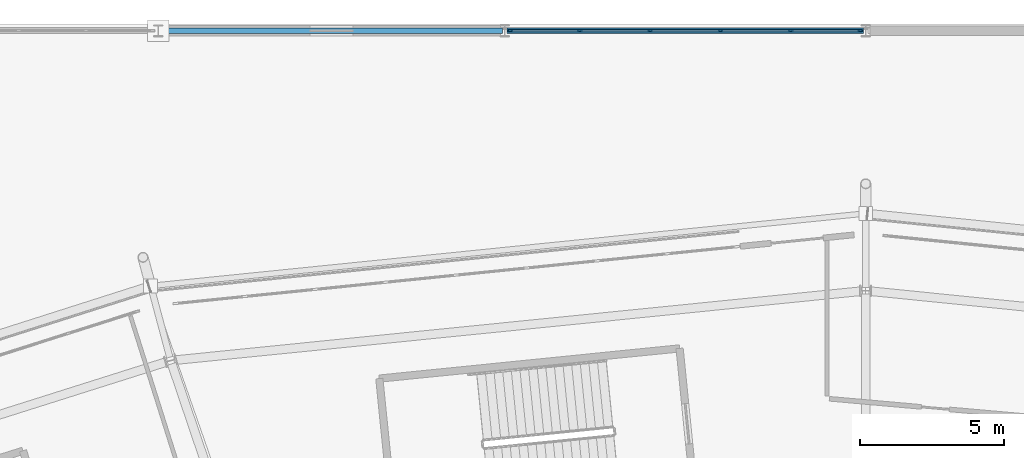
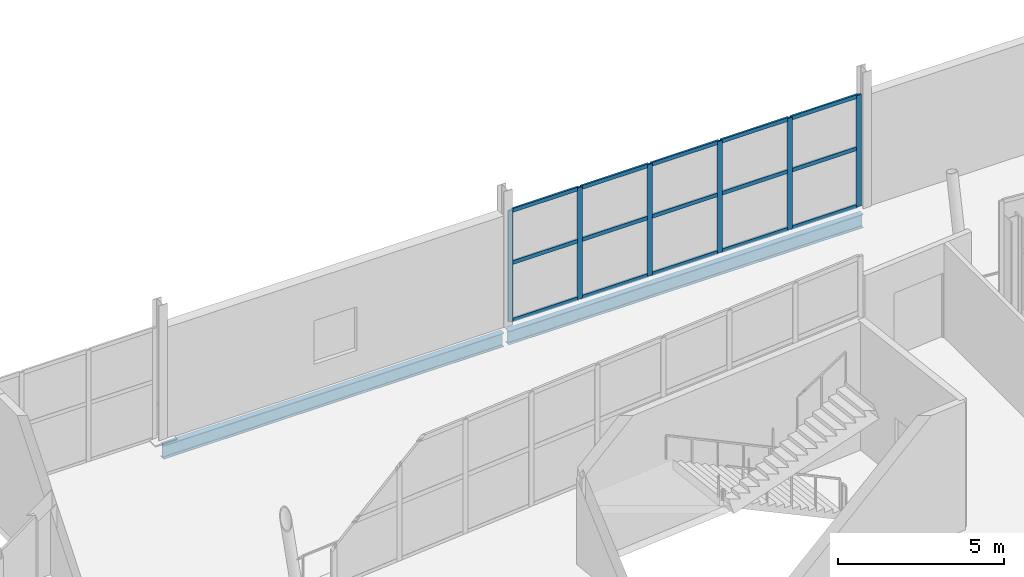
# One storey, part 80 of 179: 21 members, 2 beams, 1 element without a shape of its own.
"""IFC4 building model written with IfcOpenShell, lengths in metres."""

from ifc_helpers import new_model, si_unit, direction, frame, origin, origin_2d, place, context, subcontext, project, spatial, rectangle, i_section, extrude, material, material_profile, profile_set, type_object, element, aggregate, save


model = new_model("IFC4")

# Units and contexts
model_context = context("Model", 3, precision=1e-05, world=origin(), true_north=direction((0.0, 1.0)))
body_context = subcontext(model_context, "Body", "Model", "MODEL_VIEW")
ifc_project = project(units=[si_unit("LENGTHUNIT", "METRE"), si_unit("AREAUNIT", "SQUARE_METRE"), si_unit("VOLUMEUNIT", "CUBIC_METRE"), si_unit("PLANEANGLEUNIT", "RADIAN"), si_unit("MASSUNIT", "GRAM", prefix="KILO")], contexts=[model_context])

# Site, building, storey
site_placement = place(None, origin())
site = spatial("IfcSite", under=ifc_project, at=site_placement, CompositionType="ELEMENT")
building_placement = place(site_placement, origin())
building = spatial("IfcBuilding", under=site, at=building_placement, Name="Zlatoyarsky Gate Stadium", CompositionType="ELEMENT")
storey_placement = place(building_placement, frame((0.0, 0.0, 10.60009765625)))
storey = spatial("IfcBuildingStorey", under=building, at=storey_placement, Name="L02", CompositionType="ELEMENT", Elevation=10.60009765625)

# Curtain wall, members
ifc_material_1 = material(Name="Thermally broken anodised aluminium curtain wall", Category="aluminium")
curtain_wall_type = type_object("IfcCurtainWallType", Name="WINTER GARDEN CONSERVATORY GLAZING", PredefinedType="USERDEFINED", material=ifc_material_1)
curtain_wall_placement = place(storey_placement, origin())
curtain_wall = element("IfcCurtainWall", 1, at=curtain_wall_placement, inside=storey, type_object=curtain_wall_type, Name="Curtain wall CW-V2_NORTH-L02-150", ObjectType="UNITISED GLAZING", PredefinedType="USERDEFINED")
ifc_material_2 = material(Name="Anodised aluminium 6063-T6", Category="aluminium")
ifc_material_profile_1 = material_profile(ifc_material_2, rectangle(XDim=0.06494140625, YDim=0.159912109375, at=origin_2d()), Name="ALU 65X160")
ifc_profile_set_1 = profile_set([ifc_material_profile_1], Name="Anodised aluminium 6063-T6")
member_type_1 = type_object("IfcMemberType", Name="ALUMINIUM MULLION 65X160", PredefinedType="MULLION", material=ifc_profile_set_1)
member_1_placement = place(storey_placement, frame((98.694580078125, 160.0, 0.0), z_axis=(0.0, 0.0, 1.0), x_axis=(0.0, 1.0, 0.0)))
member_1 = element("IfcMember", 2, at=member_1_placement, type_object=member_type_1, Name="CW-WG1 mullion 1", PredefinedType="MULLION", context=body_context, shape_type="SweptSolid", body=[
    extrude(rectangle(XDim=0.06494140625, YDim=0.159912109375, at=origin_2d()), origin(), (0.0, 0.0, 1.0), 4.099853515625),
])
member_2_placement = place(storey_placement, frame((101.09716796875, 160.0, 0.0), z_axis=(0.0, 0.0, 1.0), x_axis=(0.0, 1.0, 0.0)))
member_2 = element("IfcMember", 3, at=member_2_placement, type_object=member_type_1, Name="CW-WG1 mullion 2", PredefinedType="MULLION", context=body_context, shape_type="SweptSolid", body=[
    extrude(rectangle(XDim=0.06494140625, YDim=0.159912109375, at=origin_2d()), origin(), (0.0, 0.0, 1.0), 4.099853515625),
])
member_3_placement = place(storey_placement, frame((103.532470703125, 160.0, 0.0), z_axis=(0.0, 0.0, 1.0), x_axis=(0.0, 1.0, 0.0)))
member_3 = element("IfcMember", 4, at=member_3_placement, type_object=member_type_1, Name="CW-WG1 mullion 3", PredefinedType="MULLION", context=body_context, shape_type="SweptSolid", body=[
    extrude(rectangle(XDim=0.06494140625, YDim=0.159912109375, at=origin_2d()), origin(), (0.0, 0.0, 1.0), 4.099853515625),
])
member_4_placement = place(storey_placement, frame((105.967529296875, 160.0, 0.0), z_axis=(0.0, 0.0, 1.0), x_axis=(0.0, 1.0, 0.0)))
member_4 = element("IfcMember", 5, at=member_4_placement, type_object=member_type_1, Name="CW-WG1 mullion 4", PredefinedType="MULLION", context=body_context, shape_type="SweptSolid", body=[
    extrude(rectangle(XDim=0.06494140625, YDim=0.159912109375, at=origin_2d()), origin(), (0.0, 0.0, 1.0), 4.099853515625),
])
member_5_placement = place(storey_placement, frame((108.40283203125, 160.0, 0.0), z_axis=(0.0, 0.0, 1.0), x_axis=(0.0, 1.0, 0.0)))
member_5 = element("IfcMember", 6, at=member_5_placement, type_object=member_type_1, Name="CW-WG1 mullion 5", PredefinedType="MULLION", context=body_context, shape_type="SweptSolid", body=[
    extrude(rectangle(XDim=0.06494140625, YDim=0.159912109375, at=origin_2d()), origin(), (0.0, 0.0, 1.0), 4.099853515625),
])
member_6_placement = place(storey_placement, frame((110.805419921875, 160.0, 0.0), z_axis=(0.0, 0.0, 1.0), x_axis=(0.0, 1.0, 0.0)))
member_6 = element("IfcMember", 7, at=member_6_placement, type_object=member_type_1, Name="CW-WG1 mullion 6", PredefinedType="MULLION", context=body_context, shape_type="SweptSolid", body=[
    extrude(rectangle(XDim=0.06494140625, YDim=0.159912109375, at=origin_2d()), origin(), (0.0, 0.0, 1.0), 4.099853515625),
])
ifc_material_profile_2 = material_profile(ifc_material_2, rectangle(XDim=0.06494140625, YDim=0.139892578125, at=origin_2d()), Name="ALU 65X140")
ifc_profile_set_2 = profile_set([ifc_material_profile_2], Name="Anodised aluminium 6063-T6")
member_type_2 = type_object("IfcMemberType", Name="ALUMINIUM TRANSOM 65X140", PredefinedType="USERDEFINED", material=ifc_profile_set_2)
member_7_placement = place(storey_placement, frame((98.72705078125, 160.0, 0.032470703125), z_axis=(1.0, 0.0, 0.0), x_axis=(0.0, 1.0, 0.0)))
member_7 = element("IfcMember", 8, at=member_7_placement, type_object=member_type_2, Name="CW-WG1 transom 1.1", ObjectType="TRANSOM", PredefinedType="USERDEFINED", context=body_context, shape_type="SweptSolid", body=[
    extrude(rectangle(XDim=0.06494140625, YDim=0.139892578125, at=origin_2d()), origin(), (0.0, 0.0, 1.0), 2.337646484375),
])
member_8_placement = place(storey_placement, frame((98.72705078125, 160.0, 2.14990234375), z_axis=(1.0, 0.0, 0.0), x_axis=(0.0, 1.0, 0.0)))
member_8 = element("IfcMember", 9, at=member_8_placement, type_object=member_type_2, Name="CW-WG1 transom 1.2", ObjectType="TRANSOM", PredefinedType="USERDEFINED", context=body_context, shape_type="SweptSolid", body=[
    extrude(rectangle(XDim=0.06494140625, YDim=0.139892578125, at=origin_2d()), origin(), (0.0, 0.0, 1.0), 2.337646484375),
])
member_9_placement = place(storey_placement, frame((98.72705078125, 160.0, 4.0673828125), z_axis=(1.0, 0.0, 0.0), x_axis=(0.0, 1.0, 0.0)))
member_9 = element("IfcMember", 10, at=member_9_placement, type_object=member_type_2, Name="CW-WG1 transom 1.3", ObjectType="TRANSOM", PredefinedType="USERDEFINED", context=body_context, shape_type="SweptSolid", body=[
    extrude(rectangle(XDim=0.06494140625, YDim=0.139892578125, at=origin_2d()), origin(), (0.0, 0.0, 1.0), 2.337646484375),
])
member_10_placement = place(storey_placement, frame((101.129638671875, 160.0, 0.032470703125), z_axis=(1.0, 0.0, 0.0), x_axis=(0.0, 1.0, 0.0)))
member_10 = element("IfcMember", 11, at=member_10_placement, type_object=member_type_2, Name="CW-WG1 transom 2.1", ObjectType="TRANSOM", PredefinedType="USERDEFINED", context=body_context, shape_type="SweptSolid", body=[
    extrude(rectangle(XDim=0.06494140625, YDim=0.139892578125, at=origin_2d()), origin(), (0.0, 0.0, 1.0), 2.370361328125),
])
member_11_placement = place(storey_placement, frame((101.129638671875, 160.0, 2.14990234375), z_axis=(1.0, 0.0, 0.0), x_axis=(0.0, 1.0, 0.0)))
member_11 = element("IfcMember", 12, at=member_11_placement, type_object=member_type_2, Name="CW-WG1 transom 2.2", ObjectType="TRANSOM", PredefinedType="USERDEFINED", context=body_context, shape_type="SweptSolid", body=[
    extrude(rectangle(XDim=0.06494140625, YDim=0.139892578125, at=origin_2d()), origin(), (0.0, 0.0, 1.0), 2.370361328125),
])
member_12_placement = place(storey_placement, frame((101.129638671875, 160.0, 4.0673828125), z_axis=(1.0, 0.0, 0.0), x_axis=(0.0, 1.0, 0.0)))
member_12 = element("IfcMember", 13, at=member_12_placement, type_object=member_type_2, Name="CW-WG1 transom 2.3", ObjectType="TRANSOM", PredefinedType="USERDEFINED", context=body_context, shape_type="SweptSolid", body=[
    extrude(rectangle(XDim=0.06494140625, YDim=0.139892578125, at=origin_2d()), origin(), (0.0, 0.0, 1.0), 2.370361328125),
])
member_13_placement = place(storey_placement, frame((103.56494140625, 160.0, 0.032470703125), z_axis=(1.0, 0.0, 0.0), x_axis=(0.0, 1.0, 0.0)))
member_13 = element("IfcMember", 14, at=member_13_placement, type_object=member_type_2, Name="CW-WG1 transom 3.1", ObjectType="TRANSOM", PredefinedType="USERDEFINED", context=body_context, shape_type="SweptSolid", body=[
    extrude(rectangle(XDim=0.06494140625, YDim=0.139892578125, at=origin_2d()), origin(), (0.0, 0.0, 1.0), 2.3701171875),
])
member_14_placement = place(storey_placement, frame((103.56494140625, 160.0, 2.14990234375), z_axis=(1.0, 0.0, 0.0), x_axis=(0.0, 1.0, 0.0)))
member_14 = element("IfcMember", 15, at=member_14_placement, type_object=member_type_2, Name="CW-WG1 transom 3.2", ObjectType="TRANSOM", PredefinedType="USERDEFINED", context=body_context, shape_type="SweptSolid", body=[
    extrude(rectangle(XDim=0.06494140625, YDim=0.139892578125, at=origin_2d()), origin(), (0.0, 0.0, 1.0), 2.3701171875),
])
member_15_placement = place(storey_placement, frame((103.56494140625, 160.0, 4.0673828125), z_axis=(1.0, 0.0, 0.0), x_axis=(0.0, 1.0, 0.0)))
member_15 = element("IfcMember", 16, at=member_15_placement, type_object=member_type_2, Name="CW-WG1 transom 3.3", ObjectType="TRANSOM", PredefinedType="USERDEFINED", context=body_context, shape_type="SweptSolid", body=[
    extrude(rectangle(XDim=0.06494140625, YDim=0.139892578125, at=origin_2d()), origin(), (0.0, 0.0, 1.0), 2.3701171875),
])
member_16_placement = place(storey_placement, frame((106.0, 160.0, 0.032470703125), z_axis=(1.0, 0.0, 0.0), x_axis=(0.0, 1.0, 0.0)))
member_16 = element("IfcMember", 17, at=member_16_placement, type_object=member_type_2, Name="CW-WG1 transom 4.1", ObjectType="TRANSOM", PredefinedType="USERDEFINED", context=body_context, shape_type="SweptSolid", body=[
    extrude(rectangle(XDim=0.06494140625, YDim=0.139892578125, at=origin_2d()), origin(), (0.0, 0.0, 1.0), 2.370361328125),
])
member_17_placement = place(storey_placement, frame((106.0, 160.0, 2.14990234375), z_axis=(1.0, 0.0, 0.0), x_axis=(0.0, 1.0, 0.0)))
member_17 = element("IfcMember", 18, at=member_17_placement, type_object=member_type_2, Name="CW-WG1 transom 4.2", ObjectType="TRANSOM", PredefinedType="USERDEFINED", context=body_context, shape_type="SweptSolid", body=[
    extrude(rectangle(XDim=0.06494140625, YDim=0.139892578125, at=origin_2d()), origin(), (0.0, 0.0, 1.0), 2.370361328125),
])
member_18_placement = place(storey_placement, frame((106.0, 160.0, 4.0673828125), z_axis=(1.0, 0.0, 0.0), x_axis=(0.0, 1.0, 0.0)))
member_18 = element("IfcMember", 19, at=member_18_placement, type_object=member_type_2, Name="CW-WG1 transom 4.3", ObjectType="TRANSOM", PredefinedType="USERDEFINED", context=body_context, shape_type="SweptSolid", body=[
    extrude(rectangle(XDim=0.06494140625, YDim=0.139892578125, at=origin_2d()), origin(), (0.0, 0.0, 1.0), 2.370361328125),
])
member_19_placement = place(storey_placement, frame((108.435302734375, 160.0, 0.032470703125), z_axis=(1.0, 0.0, 0.0), x_axis=(0.0, 1.0, 0.0)))
member_19 = element("IfcMember", 20, at=member_19_placement, type_object=member_type_2, Name="CW-WG1 transom 5.1", ObjectType="TRANSOM", PredefinedType="USERDEFINED", context=body_context, shape_type="SweptSolid", body=[
    extrude(rectangle(XDim=0.06494140625, YDim=0.139892578125, at=origin_2d()), origin(), (0.0, 0.0, 1.0), 2.337646484375),
])
member_20_placement = place(storey_placement, frame((108.435302734375, 160.0, 2.14990234375), z_axis=(1.0, 0.0, 0.0), x_axis=(0.0, 1.0, 0.0)))
member_20 = element("IfcMember", 21, at=member_20_placement, type_object=member_type_2, Name="CW-WG1 transom 5.2", ObjectType="TRANSOM", PredefinedType="USERDEFINED", context=body_context, shape_type="SweptSolid", body=[
    extrude(rectangle(XDim=0.06494140625, YDim=0.139892578125, at=origin_2d()), origin(), (0.0, 0.0, 1.0), 2.337646484375),
])
member_21_placement = place(storey_placement, frame((108.435302734375, 160.0, 4.0673828125), z_axis=(1.0, 0.0, 0.0), x_axis=(0.0, 1.0, 0.0)))
member_21 = element("IfcMember", 22, at=member_21_placement, type_object=member_type_2, Name="CW-WG1 transom 5.3", ObjectType="TRANSOM", PredefinedType="USERDEFINED", context=body_context, shape_type="SweptSolid", body=[
    extrude(rectangle(XDim=0.06494140625, YDim=0.139892578125, at=origin_2d()), origin(), (0.0, 0.0, 1.0), 2.337646484375),
])
aggregate(curtain_wall, [member_1, member_2, member_3, member_4, member_5, member_6, member_7, member_8, member_9, member_10, member_11, member_12, member_13, member_14, member_15, member_16, member_17, member_18, member_19, member_20, member_21])

# Beams
ifc_material_3 = material(Name="Steel S355", Category="steel")
ifc_material_profile_3 = material_profile(ifc_material_3, i_section(OverallWidth=0.199951171875, OverallDepth=0.5, WebThickness=0.01025390625, FlangeThickness=0.01611328125, FilletRadius=0.02099609375, at=origin_2d()), Name="IPE 500")
ifc_profile_set_3 = profile_set([ifc_material_profile_3], Name="Steel S355")
beam_type = type_object("IfcBeamType", Name="STEEL FLOOR BEAM IPE 500", PredefinedType="BEAM", material=ifc_profile_set_3)
beam_1_placement = place(storey_placement, frame((86.580078125, 160.0, -0.530029296875), z_axis=(1.0, 0.0, 0.0), x_axis=(0.0, 1.0, 0.0)))
element("IfcBeam", 23, at=beam_1_placement, inside=storey, type_object=beam_type, Name="Beam B-IPE500 BM-L02-WGX-8-Q", PredefinedType="BEAM", context=body_context, shape_type="SweptSolid", body=[
    extrude(i_section(OverallWidth=0.199951171875, OverallDepth=0.5, WebThickness=0.01025390625, FlangeThickness=0.01611328125, FilletRadius=0.02099609375, at=origin_2d()), origin(), (0.0, 0.0, 1.0), 11.83984375),
])
beam_2_placement = place(storey_placement, frame((98.580078125, 160.0, -0.530029296875), z_axis=(1.0, 0.0, 0.0), x_axis=(0.0, 1.0, 0.0)))
element("IfcBeam", 24, at=beam_2_placement, inside=storey, type_object=beam_type, Name="Beam B-IPE500 BM-L02-WGX-9-Q", PredefinedType="BEAM", context=body_context, shape_type="SweptSolid", body=[
    extrude(i_section(OverallWidth=0.199951171875, OverallDepth=0.5, WebThickness=0.01025390625, FlangeThickness=0.01611328125, FilletRadius=0.02099609375, at=origin_2d()), origin(), (0.0, 0.0, 1.0), 12.33984375),
])

save(model, "model.ifc")
